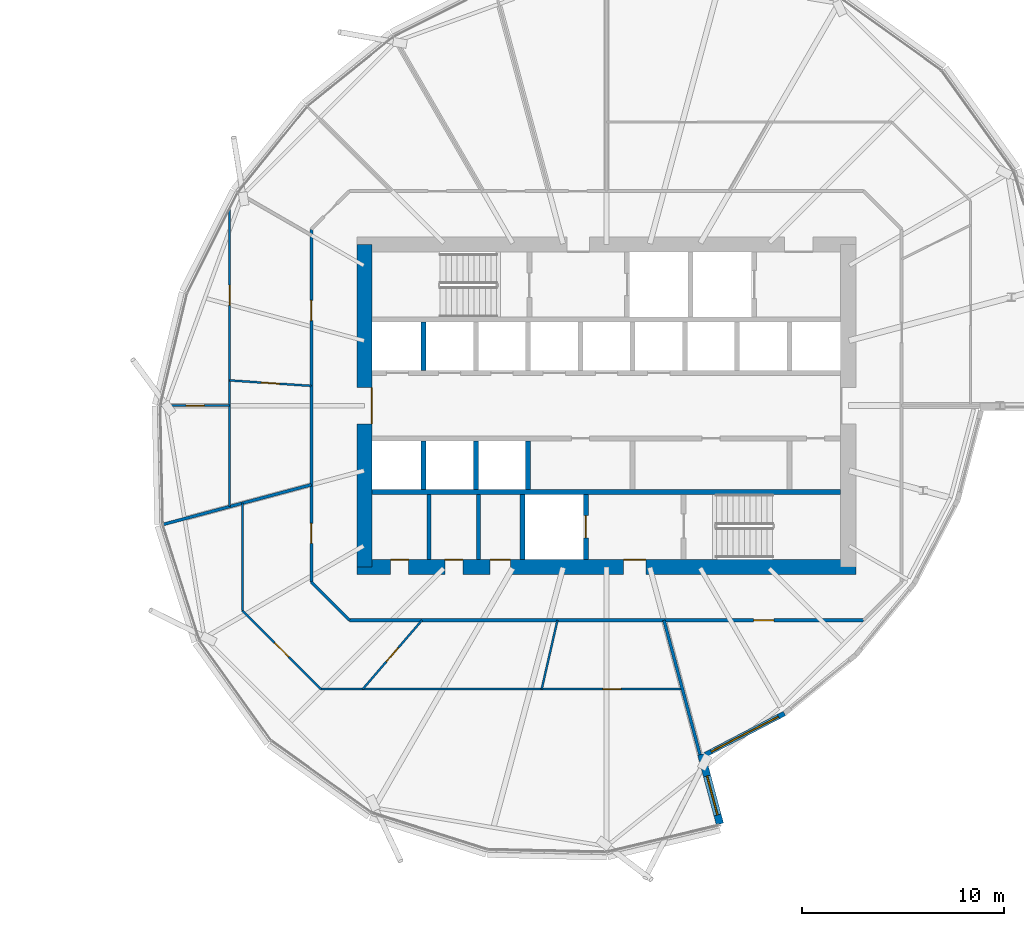
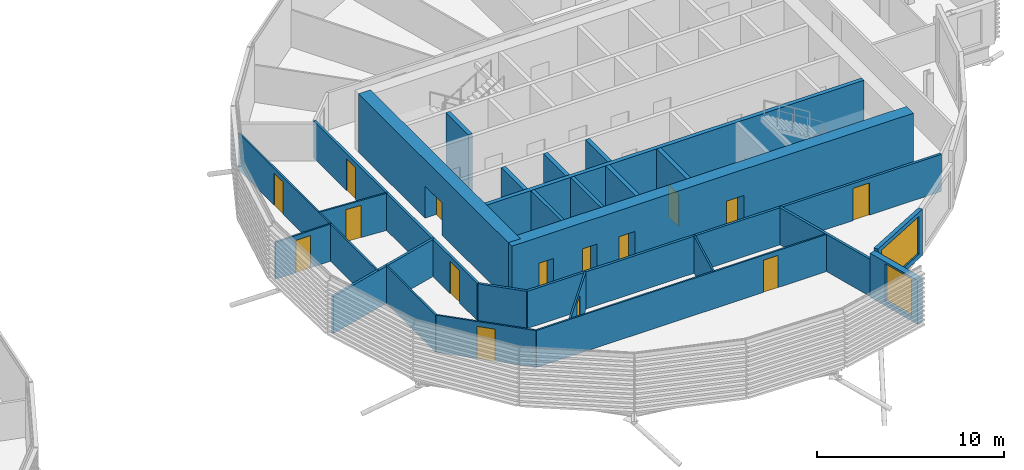
# One storey, part 23 of 39: 27 walls, 15 doors, 2 windows, 17 openings.
"""IFC4 building model written with IfcOpenShell, lengths in metres."""

from ifc_helpers import new_model, si_unit, direction, frame, frame_2d, origin, place, context, subcontext, project, spatial, rectangle, extrude, material, layer, layer_set, type_object, element, fill, save


model = new_model("IFC4")

# Units and contexts
model_context = context("Model", 3, precision=1e-05, world=origin(), true_north=direction((0.0, 1.0)))
body_context = subcontext(model_context, "Body", "Model", "MODEL_VIEW")
ifc_project = project(units=[si_unit("LENGTHUNIT", "METRE"), si_unit("AREAUNIT", "SQUARE_METRE"), si_unit("VOLUMEUNIT", "CUBIC_METRE"), si_unit("PLANEANGLEUNIT", "RADIAN"), si_unit("MASSUNIT", "GRAM", prefix="KILO")], contexts=[model_context])

# Site, building, storey
site_placement = place(None, origin())
site = spatial("IfcSite", under=ifc_project, at=site_placement, CompositionType="ELEMENT")
building_placement = place(site_placement, origin())
building = spatial("IfcBuilding", under=site, at=building_placement, Name="Rimbun Link Towers", CompositionType="ELEMENT")
storey_placement = place(building_placement, frame((0.0, 0.0, 100.60009765625)))
storey = spatial("IfcBuildingStorey", under=building, at=storey_placement, Name="L24", CompositionType="ELEMENT", Elevation=100.60009765625)

# Wall, opening, window
ifc_material_1 = material(Name="Dark enamelled glass spandrel on insulated aluminium backpan", Category="aluminium")
ifc_layer_1 = layer(ifc_material_1, 0.25)
ifc_layer_set_1 = layer_set([ifc_layer_1], Name="CS dark enamelled spandrel wall 250")
wall_type_1 = type_object("IfcWallType", Name="CS dark enamelled spandrel wall 250", PredefinedType="STANDARD", material=ifc_layer_set_1)
wall_1_placement = place(storey_placement, frame((40.57958984375, -15.278564453125, 0.0), z_axis=(0.0, 0.0, 1.0), x_axis=(-0.886942309025, -0.461880223069, 0.0)))
wall_1 = element("IfcWall", 1, at=wall_1_placement, inside=storey, type_object=wall_type_1, Name="Crease spandrel wall", PredefinedType="STANDARD", context=body_context, shape_type="SweptSolid", body=[
    extrude(rectangle(XDim=4.429443359375, YDim=0.25, at=frame_2d((2.21484375, 0.0))), origin(), (0.0, 0.0, 1.0), 3.02734375),
])
opening_1_placement = place(wall_1_placement, frame((0.33984375, 0.0, 0.300048828125)))
opening_1 = element("IfcOpeningElement", 2, at=opening_1_placement, cuts=wall_1, Name="Opening WR38H245", PredefinedType="OPENING", context=body_context, shape_type="SweptSolid", body=[
    extrude(rectangle(XDim=3.75, YDim=2.449951171875, at=frame_2d((1.875, 1.22509765625))), frame((0.0, 0.135009765625, 0.0), z_axis=(0.0, -1.0, 0.0), x_axis=(1.0, 0.0, 0.0)), (0.0, 0.0, 1.0), 0.27001953125),
])
ifc_material_2 = material(Name="Aluminium framed fixed window, dark tinted low-e glass", Category="aluminium")
window_type_1 = type_object("IfcWindowType", Name="WR ribbon window 3750X2450", PartitioningType="SINGLE_PANEL", PredefinedType="WINDOW", material=ifc_material_2)
window_1_placement = place(opening_1_placement, origin())
window_1 = element("IfcWindow", 3, at=window_1_placement, inside=storey, type_object=window_type_1, Name="Crease ribbon window", OverallHeight=2.449951171875, OverallWidth=3.75, PartitioningType="SINGLE_PANEL", PredefinedType="WINDOW", context=body_context, shape_type="SweptSolid", body=[
    extrude(rectangle(XDim=3.75, YDim=2.449951171875, at=frame_2d((1.875, 1.22509765625))), frame((0.0, 0.030029296875, 0.0), z_axis=(0.0, -1.0, 0.0), x_axis=(1.0, 0.0, 0.0)), (0.0, 0.0, 1.0), 0.06005859375),
])
fill(opening_1, window_1)

ifc_material_3 = material(Name="Dark enamelled glass spandrel on insulated aluminium backpan", Category="aluminium")
ifc_layer_2 = layer(ifc_material_3, 0.3701171875)
ifc_layer_set_2 = layer_set([ifc_layer_2], Name="CS dark enamelled spandrel wall 370")
wall_type_2 = type_object("IfcWallType", Name="CS dark enamelled spandrel wall 370", PredefinedType="STANDARD", material=ifc_layer_set_2)
wall_2_placement = place(storey_placement, frame((36.453369140625, -17.30224609375, 0.0), z_axis=(0.0, 0.0, 1.0), x_axis=(0.258867887085, -0.965912737796, 0.0)))
wall_2 = element("IfcWall", 4, at=wall_2_placement, inside=storey, type_object=wall_type_2, Name="Crease spandrel wall", PredefinedType="STANDARD", context=body_context, shape_type="SweptSolid", body=[
    extrude(rectangle(XDim=3.580078125, YDim=0.3701171875, at=frame_2d((1.7900390625, 0.0))), origin(), (0.0, 0.0, 1.0), 2.86767578125),
])
opening_2_placement = place(wall_2_placement, frame((1.114990234375, 0.0, 0.300048828125)))
opening_2 = element("IfcOpeningElement", 5, at=opening_2_placement, cuts=wall_2, Name="Opening WR20H245", PredefinedType="OPENING", context=body_context, shape_type="SweptSolid", body=[
    extrude(rectangle(XDim=2.0, YDim=2.449951171875, at=frame_2d((1.0, 1.22509765625))), frame((0.0, 0.195068359375, 0.0), z_axis=(0.0, -1.0, 0.0), x_axis=(1.0, 0.0, 0.0)), (0.0, 0.0, 1.0), 0.39013671875),
])
ifc_material_4 = material(Name="Aluminium framed fixed window, dark tinted low-e glass", Category="aluminium")
window_type_2 = type_object("IfcWindowType", Name="WR ribbon window 2000X2450", PartitioningType="SINGLE_PANEL", PredefinedType="WINDOW", material=ifc_material_4)
window_2_placement = place(opening_2_placement, origin())
window_2 = element("IfcWindow", 6, at=window_2_placement, inside=storey, type_object=window_type_2, Name="Crease ribbon window", OverallHeight=2.449951171875, OverallWidth=2.0, PartitioningType="SINGLE_PANEL", PredefinedType="WINDOW", context=body_context, shape_type="SweptSolid", body=[
    extrude(rectangle(XDim=2.0, YDim=2.449951171875, at=frame_2d((1.0, 1.22509765625))), frame((0.0, 0.030029296875, 0.0), z_axis=(0.0, -1.0, 0.0), x_axis=(1.0, 0.0, 0.0)), (0.0, 0.0, 1.0), 0.06005859375),
])
fill(opening_2, window_2)

# Walls
ifc_material_5 = material(Name="Masonry blockwork", Category="masonry")
ifc_layer_3 = layer(ifc_material_5, 0.199951171875)
ifc_layer_set_3 = layer_set([ifc_layer_3], Name="Core partition 200")
wall_type_3 = type_object("IfcWallType", Name="Core partition 200", PredefinedType="PARTITIONING", material=ifc_layer_set_3)
for number, where, z_axis, x_axis, name in (
    (7, (22.949951171875, -4.39990234375, 0.0), (0.0, 0.0, 1.0), (0.0, -1.0, 0.0), "L24 T2 core wall C1"),
    (8, (25.39990234375, -4.39990234375, 0.0), (0.0, 0.0, 1.0), (0.0, -1.0, 0.0), "L24 T2 core wall C2"),
):
    element("IfcWall", number, at=place(storey_placement, frame(where, z_axis=z_axis, x_axis=x_axis)), inside=storey, type_object=wall_type_3, Name=name, PredefinedType="PARTITIONING", context=body_context, shape_type="SweptSolid", body=[
        extrude(rectangle(XDim=3.22509765625, YDim=0.199951171875, at=frame_2d((1.612548828125, 0.0))), origin(), (0.0, 0.0, 1.0), 3.7998046875),
    ])

# Wall, openings, doors
ifc_material_6 = material(Name="Concrete C60/75", Category="concrete")
ifc_layer_4 = layer(ifc_material_6, 0.75)
ifc_layer_set_4 = layer_set([ifc_layer_4], Name="Core shear wall 750")
wall_type_4 = type_object("IfcWallType", Name="Core shear wall 750", PredefinedType="SHEAR", material=ifc_layer_set_4)
wall_3_placement = place(storey_placement, frame((19.375, -8.0, 0.0), z_axis=(0.0, 0.0, 1.0), x_axis=(1.0, 0.0, 0.0)))
wall_3 = element("IfcWall", 9, at=wall_3_placement, inside=storey, type_object=wall_type_4, Name="L24 T2 core wall S", PredefinedType="SHEAR", context=body_context, shape_type="SweptSolid", body=[
    extrude(rectangle(XDim=24.75, YDim=0.75, at=frame_2d((12.375, 0.0))), origin(), (0.0, 0.0, 1.0), 3.7998046875),
])
opening_3_placement = place(wall_3_placement, frame((13.22509765625, 0.0, 0.0)))
opening_3 = element("IfcOpeningElement", 10, at=opening_3_placement, cuts=wall_3, Name="Opening C2DCF01S", PredefinedType="OPENING", context=body_context, shape_type="SweptSolid", body=[
    extrude(rectangle(XDim=1.10009765625, YDim=2.10009765625, at=frame_2d((0.550048828125, 1.050048828125))), frame((0.0, 0.385009765625, 0.0), z_axis=(0.0, -1.0, 0.0), x_axis=(1.0, 0.0, 0.0)), (0.0, 0.0, 1.0), 0.77001953125),
])
opening_4_placement = place(wall_3_placement, frame((1.66259765625, 0.0, 0.0)))
opening_4 = element("IfcOpeningElement", 11, at=opening_4_placement, cuts=wall_3, Name="Opening C2DWC02S", PredefinedType="OPENING", context=body_context, shape_type="SweptSolid", body=[
    extrude(rectangle(XDim=0.89990234375, YDim=2.10009765625, at=frame_2d((0.449951171875, 1.050048828125))), frame((0.0, 0.385009765625, 0.0), z_axis=(0.0, -1.0, 0.0), x_axis=(1.0, 0.0, 0.0)), (0.0, 0.0, 1.0), 0.77001953125),
])
opening_5_placement = place(wall_3_placement, frame((4.35009765625, 0.0, 0.0)))
opening_5 = element("IfcOpeningElement", 12, at=opening_5_placement, cuts=wall_3, Name="Opening C2DWC03S", PredefinedType="OPENING", context=body_context, shape_type="SweptSolid", body=[
    extrude(rectangle(XDim=0.89990234375, YDim=2.10009765625, at=frame_2d((0.449951171875, 1.050048828125))), frame((0.0, 0.385009765625, 0.0), z_axis=(0.0, -1.0, 0.0), x_axis=(1.0, 0.0, 0.0)), (0.0, 0.0, 1.0), 0.77001953125),
])
opening_6_placement = place(wall_3_placement, frame((6.60009765625, 0.0, 0.0)))
opening_6 = element("IfcOpeningElement", 13, at=opening_6_placement, cuts=wall_3, Name="Opening C2DAW04S", PredefinedType="OPENING", context=body_context, shape_type="SweptSolid", body=[
    extrude(rectangle(XDim=1.0, YDim=2.10009765625, at=frame_2d((0.5, 1.050048828125))), frame((0.0, 0.385009765625, 0.0), z_axis=(0.0, -1.0, 0.0), x_axis=(1.0, 0.0, 0.0)), (0.0, 0.0, 1.0), 0.77001953125),
])
ifc_material_7 = material(Name="Timber", Category="wood")
door_type_1 = type_object("IfcDoorType", Name="Accessible WC door", OperationType="SINGLE_SWING_LEFT", PredefinedType="DOOR", material=ifc_material_7)
door_1_placement = place(opening_6_placement, origin())
door_1 = element("IfcDoor", 14, at=door_1_placement, inside=storey, type_object=door_type_1, Name="L24 T2 accessible wc door", OperationType="SINGLE_SWING_RIGHT", OverallHeight=2.10009765625, OverallWidth=1.0, PredefinedType="DOOR", context=body_context, shape_type="SweptSolid", body=[
    extrude(rectangle(XDim=1.0, YDim=2.10009765625, at=frame_2d((0.5, 1.050048828125))), frame((0.0, 0.375, 0.0), z_axis=(0.0, -1.0, 0.0), x_axis=(1.0, 0.0, 0.0)), (0.0, 0.0, 1.0), 0.050048828125),
])
fill(opening_6, door_1)
ifc_material_8 = material(Name="Steel fire door set", Category="steel")
door_type_2 = type_object("IfcDoorType", Name="Core fire door single", OperationType="SINGLE_SWING_LEFT", PredefinedType="DOOR", material=ifc_material_8)
door_2_placement = place(opening_3_placement, origin())
door_2 = element("IfcDoor", 15, at=door_2_placement, inside=storey, type_object=door_type_2, Name="L24 T2 firefighting lobby s door", OperationType="SINGLE_SWING_RIGHT", OverallHeight=2.10009765625, OverallWidth=1.10009765625, PredefinedType="DOOR", context=body_context, shape_type="SweptSolid", body=[
    extrude(rectangle(XDim=1.10009765625, YDim=2.10009765625, at=frame_2d((0.550048828125, 1.050048828125))), frame((0.0, 0.375, 0.0), z_axis=(0.0, -1.0, 0.0), x_axis=(1.0, 0.0, 0.0)), (0.0, 0.0, 1.0), 0.050048828125),
])
fill(opening_3, door_2)
ifc_material_9 = material(Name="Timber", Category="wood")
door_type_3 = type_object("IfcDoorType", Name="WC door", OperationType="SINGLE_SWING_LEFT", PredefinedType="DOOR", material=ifc_material_9)
door_3_placement = place(opening_4_placement, origin())
door_3 = element("IfcDoor", 16, at=door_3_placement, inside=storey, type_object=door_type_3, Name="L24 T2 male wc door", OperationType="SINGLE_SWING_RIGHT", OverallHeight=2.10009765625, OverallWidth=0.89990234375, PredefinedType="DOOR", context=body_context, shape_type="SweptSolid", body=[
    extrude(rectangle(XDim=0.89990234375, YDim=2.10009765625, at=frame_2d((0.449951171875, 1.050048828125))), frame((0.0, 0.375, 0.0), z_axis=(0.0, -1.0, 0.0), x_axis=(1.0, 0.0, 0.0)), (0.0, 0.0, 1.0), 0.050048828125),
])
fill(opening_4, door_3)
door_4_placement = place(opening_5_placement, origin())
door_4 = element("IfcDoor", 17, at=door_4_placement, inside=storey, type_object=door_type_3, Name="L24 T2 female wc door", OperationType="SINGLE_SWING_LEFT", OverallHeight=2.10009765625, OverallWidth=0.89990234375, PredefinedType="DOOR", context=body_context, shape_type="SweptSolid", body=[
    extrude(rectangle(XDim=0.89990234375, YDim=2.10009765625, at=frame_2d((0.449951171875, 1.050048828125))), frame((0.0, 0.375, 0.0), z_axis=(0.0, -1.0, 0.0), x_axis=(1.0, 0.0, 0.0)), (0.0, 0.0, 1.0), 0.050048828125),
])
fill(opening_5, door_4)

# Wall, opening, door
wall_4_placement = place(storey_placement, frame((19.75, -8.0, 0.0), z_axis=(0.0, 0.0, 1.0), x_axis=(0.0, 1.0, 0.0)))
wall_4 = element("IfcWall", 18, at=wall_4_placement, inside=storey, type_object=wall_type_4, Name="L24 T2 core wall W", PredefinedType="SHEAR", context=body_context, shape_type="SweptSolid", body=[
    extrude(rectangle(XDim=16.0, YDim=0.75, at=frame_2d((8.0, 0.0))), origin(), (0.0, 0.0, 1.0), 3.7998046875),
])
opening_7_placement = place(wall_4_placement, frame((7.10009765625, 0.0, 0.0)))
opening_7 = element("IfcOpeningElement", 19, at=opening_7_placement, cuts=wall_4, Name="Opening C2DCL01W", PredefinedType="OPENING", context=body_context, shape_type="SweptSolid", body=[
    extrude(rectangle(XDim=1.800048828125, YDim=2.10009765625, at=frame_2d((0.89990234375, 1.050048828125))), frame((0.0, 0.385009765625, 0.0), z_axis=(0.0, -1.0, 0.0), x_axis=(1.0, 0.0, 0.0)), (0.0, 0.0, 1.0), 0.77001953125),
])
ifc_material_10 = material(Name="Steel fire door set", Category="steel")
door_type_4 = type_object("IfcDoorType", Name="Core lobby door double", OperationType="DOUBLE_DOOR_SINGLE_SWING", PredefinedType="DOOR", material=ifc_material_10)
door_5_placement = place(opening_7_placement, origin())
door_5 = element("IfcDoor", 20, at=door_5_placement, inside=storey, type_object=door_type_4, Name="L24 T2 lift lobby door", OperationType="DOUBLE_DOOR_SINGLE_SWING", OverallHeight=2.10009765625, OverallWidth=1.800048828125, PredefinedType="DOOR", context=body_context, shape_type="SweptSolid", body=[
    extrude(rectangle(XDim=1.800048828125, YDim=2.10009765625, at=frame_2d((0.89990234375, 1.050048828125))), frame((0.0, -0.3251953125, 0.0), z_axis=(0.0, -1.0, 0.0), x_axis=(1.0, 0.0, 0.0)), (0.0, 0.0, 1.0), 0.050048828125),
])
fill(opening_7, door_5)

ifc_material_11 = material(Name="Plasterboard on steel stud, mineral wool", Category="steel")
ifc_layer_5 = layer(ifc_material_11, 0.14990234375)
ifc_layer_set_5 = layer_set([ifc_layer_5], Name="Corridor wall EI 30 150 mm")
wall_type_5 = type_object("IfcWallType", Name="Corridor wall EI 30 150 mm", PredefinedType="PARTITIONING", material=ifc_layer_set_5)
wall_5_placement = place(storey_placement, frame((44.501708984375, -10.64990234375, 0.0), z_axis=(0.0, 0.0, 1.0), x_axis=(-1.0, 0.0, 0.0)))
wall_5 = element("IfcWall", 21, at=wall_5_placement, inside=storey, type_object=wall_type_5, Name="Corridor wall EI 30 150 mm", PredefinedType="PARTITIONING", context=body_context, shape_type="SweptSolid", body=[
    extrude(rectangle(XDim=25.50341796875, YDim=0.14990234375, at=frame_2d((12.751708984375, 0.0))), origin(), (0.0, 0.0, 1.0), 2.419921875),
])
opening_8_placement = place(wall_5_placement, frame((4.448974609375, 0.0, 0.0)))
opening_8 = element("IfcOpeningElement", 22, at=opening_8_placement, cuts=wall_5, Name="Opening D01", PredefinedType="OPENING", context=body_context, shape_type="SweptSolid", body=[
    extrude(rectangle(XDim=1.0, YDim=2.10009765625, at=frame_2d((0.5, 1.050048828125))), frame((0.0, 0.0849609375, 0.0), z_axis=(0.0, -1.0, 0.0), x_axis=(1.0, 0.0, 0.0)), (0.0, 0.0, 1.0), 0.169921875),
])
ifc_material_12 = material(Name="Fire-resisting timber door leaf", Category="wood")
door_type_5 = type_object("IfcDoorType", Name="Fire door FD30S 1000", OperationType="NOTDEFINED", PredefinedType="DOOR", material=ifc_material_12)
door_6_placement = place(opening_8_placement, origin())
door_6 = element("IfcDoor", 23, at=door_6_placement, inside=storey, type_object=door_type_5, Name="Fire door FD30S 1000 to Terrace office", OperationType="SINGLE_SWING_RIGHT", OverallHeight=2.10009765625, OverallWidth=1.0, PredefinedType="DOOR", context=body_context, shape_type="SweptSolid", body=[
    extrude(rectangle(XDim=1.0, YDim=2.10009765625, at=frame_2d((0.5, 1.050048828125))), frame((0.0, 0.02490234375, 0.0), z_axis=(0.0, -1.0, 0.0), x_axis=(1.0, 0.0, 0.0)), (0.0, 0.0, 1.0), 0.050048828125),
])
fill(opening_8, door_6)

# Wall
wall_6_placement = place(storey_placement, frame((17.10009765625, -8.751708984375, 0.0), z_axis=(0.0, 0.0, 1.0), x_axis=(0.707106781187, -0.707106781187, 0.0)))
element("IfcWall", 24, at=wall_6_placement, inside=storey, type_object=wall_type_5, Name="Corridor wall EI 30 150 mm", PredefinedType="PARTITIONING", context=body_context, shape_type="SweptSolid", body=[
    extrude(rectangle(XDim=2.6845703125, YDim=0.14990234375, at=frame_2d((1.34228515625, 0.0))), origin(), (0.0, 0.0, 1.0), 2.419921875),
])

# Wall, openings, doors
wall_7_placement = place(storey_placement, frame((17.10009765625, -8.751708984375, 0.0), z_axis=(0.0, 0.0, 1.0), x_axis=(0.0, 1.0, 0.0)))
wall_7 = element("IfcWall", 25, at=wall_7_placement, inside=storey, type_object=wall_type_5, Name="Corridor wall EI 30 150 mm", PredefinedType="PARTITIONING", context=body_context, shape_type="SweptSolid", body=[
    extrude(rectangle(XDim=17.50341796875, YDim=0.14990234375, at=frame_2d((8.751708984375, 0.0))), origin(), (0.0, 0.0, 1.0), 2.419921875),
])
opening_9_placement = place(wall_7_placement, frame((12.971435546875, 0.0, 0.0)))
opening_9 = element("IfcOpeningElement", 26, at=opening_9_placement, cuts=wall_7, Name="Opening D01", PredefinedType="OPENING", context=body_context, shape_type="SweptSolid", body=[
    extrude(rectangle(XDim=1.0, YDim=2.10009765625, at=frame_2d((0.5, 1.050048828125))), frame((0.0, 0.0849609375, 0.0), z_axis=(0.0, -1.0, 0.0), x_axis=(1.0, 0.0, 0.0)), (0.0, 0.0, 1.0), 0.169921875),
])
opening_10_placement = place(wall_7_placement, frame((1.9130859375, 0.0, 0.0)))
opening_10 = element("IfcOpeningElement", 27, at=opening_10_placement, cuts=wall_7, Name="Opening D01", PredefinedType="OPENING", context=body_context, shape_type="SweptSolid", body=[
    extrude(rectangle(XDim=1.0, YDim=2.10009765625, at=frame_2d((0.5, 1.050048828125))), frame((0.0, 0.0849609375, 0.0), z_axis=(0.0, -1.0, 0.0), x_axis=(1.0, 0.0, 0.0)), (0.0, 0.0, 1.0), 0.169921875),
])
door_7_placement = place(opening_9_placement, origin())
door_7 = element("IfcDoor", 28, at=door_7_placement, inside=storey, type_object=door_type_5, Name="Fire door FD30S 1000 to Reception", OperationType="SINGLE_SWING_RIGHT", OverallHeight=2.10009765625, OverallWidth=1.0, PredefinedType="DOOR", context=body_context, shape_type="SweptSolid", body=[
    extrude(rectangle(XDim=1.0, YDim=2.10009765625, at=frame_2d((0.5, 1.050048828125))), frame((0.0, 0.02490234375, 0.0), z_axis=(0.0, -1.0, 0.0), x_axis=(1.0, 0.0, 0.0)), (0.0, 0.0, 1.0), 0.050048828125),
])
fill(opening_9, door_7)
door_8_placement = place(opening_10_placement, origin())
door_8 = element("IfcDoor", 29, at=door_8_placement, inside=storey, type_object=door_type_5, Name="Fire door FD30S 1000 to Reception", OperationType="SINGLE_SWING_LEFT", OverallHeight=2.10009765625, OverallWidth=1.0, PredefinedType="DOOR", context=body_context, shape_type="SweptSolid", body=[
    extrude(rectangle(XDim=1.0, YDim=2.10009765625, at=frame_2d((0.5, 1.050048828125))), frame((0.0, 0.02490234375, 0.0), z_axis=(0.0, -1.0, 0.0), x_axis=(1.0, 0.0, 0.0)), (0.0, 0.0, 1.0), 0.050048828125),
])
fill(opening_10, door_8)

# Wall, opening, door
ifc_material_13 = material(Name="Plasterboard on steel stud", Category="steel")
ifc_layer_6 = layer(ifc_material_13, 0.10009765625)
ifc_layer_set_6 = layer_set([ifc_layer_6], Name="Plasterboard partition 100 mm")
wall_type_6 = type_object("IfcWallType", Name="Plasterboard partition 100 mm", PredefinedType="PARTITIONING", material=ifc_layer_set_6)
wall_8_placement = place(storey_placement, frame((17.10009765625, 0.981201171875, 0.0), z_axis=(0.0, 0.0, 1.0), x_axis=(-0.997764885584, 0.066822399655, 0.0)))
wall_8 = element("IfcWall", 30, at=wall_8_placement, inside=storey, type_object=wall_type_6, Name="Plasterboard partition 100 mm", PredefinedType="PARTITIONING", context=body_context, shape_type="SweptSolid", body=[
    extrude(rectangle(XDim=4.05908203125, YDim=0.10009765625, at=frame_2d((2.029541015625, 0.0))), origin(), (0.0, 0.0, 1.0), 2.419921875),
])
opening_11_placement = place(wall_8_placement, frame((1.57958984375, 0.0, 0.0)))
opening_11 = element("IfcOpeningElement", 31, at=opening_11_placement, cuts=wall_8, Name="Opening D04", PredefinedType="OPENING", context=body_context, shape_type="SweptSolid", body=[
    extrude(rectangle(XDim=0.89990234375, YDim=2.10009765625, at=frame_2d((0.449951171875, 1.050048828125))), frame((0.0, 0.06005859375, 0.0), z_axis=(0.0, -1.0, 0.0), x_axis=(1.0, 0.0, 0.0)), (0.0, 0.0, 1.0), 0.1201171875),
])
ifc_material_14 = material(Name="Timber door leaf", Category="wood")
door_type_6 = type_object("IfcDoorType", Name="Flush door 900", OperationType="NOTDEFINED", PredefinedType="DOOR", material=ifc_material_14)
door_9_placement = place(opening_11_placement, origin())
door_9 = element("IfcDoor", 32, at=door_9_placement, inside=storey, type_object=door_type_6, Name="Flush door 900 to Pantry", OperationType="SINGLE_SWING_LEFT", OverallHeight=2.10009765625, OverallWidth=0.89990234375, PredefinedType="DOOR", context=body_context, shape_type="SweptSolid", body=[
    extrude(rectangle(XDim=0.89990234375, YDim=2.10009765625, at=frame_2d((0.449951171875, 1.050048828125))), frame((0.0, 0.02490234375, 0.0), z_axis=(0.0, -1.0, 0.0), x_axis=(1.0, 0.0, 0.0)), (0.0, 0.0, 1.0), 0.050048828125),
])
fill(opening_11, door_9)

wall_9_placement = place(storey_placement, frame((13.050048828125, 0.0, 0.0), z_axis=(0.0, 0.0, 1.0), x_axis=(0.0, 1.0, 0.0)))
wall_9 = element("IfcWall", 33, at=wall_9_placement, inside=storey, type_object=wall_type_6, Name="Plasterboard partition 100 mm", PredefinedType="PARTITIONING", context=body_context, shape_type="SweptSolid", body=[
    extrude(rectangle(XDim=9.74658203125, YDim=0.10009765625, at=frame_2d((4.873291015625, 0.0))), origin(), (0.0, 0.0, 1.0), 2.419921875),
])
opening_12_placement = place(wall_9_placement, frame((4.984619140625, 0.0, 0.0)))
opening_12 = element("IfcOpeningElement", 34, at=opening_12_placement, cuts=wall_9, Name="Opening D03", PredefinedType="OPENING", context=body_context, shape_type="SweptSolid", body=[
    extrude(rectangle(XDim=1.0, YDim=2.10009765625, at=frame_2d((0.5, 1.050048828125))), frame((0.0, 0.06005859375, 0.0), z_axis=(0.0, -1.0, 0.0), x_axis=(1.0, 0.0, 0.0)), (0.0, 0.0, 1.0), 0.1201171875),
])
ifc_material_15 = material(Name="Timber door leaf", Category="wood")
door_type_7 = type_object("IfcDoorType", Name="Flush door 1000", OperationType="NOTDEFINED", PredefinedType="DOOR", material=ifc_material_15)
door_10_placement = place(opening_12_placement, origin())
door_10 = element("IfcDoor", 35, at=door_10_placement, inside=storey, type_object=door_type_7, Name="Flush door 1000 to Boardroom", OperationType="SINGLE_SWING_RIGHT", OverallHeight=2.10009765625, OverallWidth=1.0, PredefinedType="DOOR", context=body_context, shape_type="SweptSolid", body=[
    extrude(rectangle(XDim=1.0, YDim=2.10009765625, at=frame_2d((0.5, 1.050048828125))), frame((0.0, 0.02490234375, 0.0), z_axis=(0.0, -1.0, 0.0), x_axis=(1.0, 0.0, 0.0)), (0.0, 0.0, 1.0), 0.050048828125),
])
fill(opening_12, door_10)

# Wall
wall_10_placement = place(storey_placement, frame((13.050048828125, 0.0, 0.0), z_axis=(0.0, 0.0, 1.0), x_axis=(0.0, -1.0, 0.0)))
element("IfcWall", 36, at=wall_10_placement, inside=storey, type_object=wall_type_6, Name="Plasterboard partition 100 mm", PredefinedType="PARTITIONING", context=body_context, shape_type="SweptSolid", body=[
    extrude(rectangle(XDim=5.0107421875, YDim=0.10009765625, at=frame_2d((2.50537109375, 0.0))), origin(), (0.0, 0.0, 1.0), 2.419921875),
])

# Wall, opening, door
wall_11_placement = place(storey_placement, frame((13.050048828125, 0.0, 0.0), z_axis=(0.0, 0.0, 1.0), x_axis=(-1.0, 0.0, 0.0)))
wall_11 = element("IfcWall", 37, at=wall_11_placement, inside=storey, type_object=wall_type_6, Name="Plasterboard partition 100 mm", PredefinedType="PARTITIONING", context=body_context, shape_type="SweptSolid", body=[
    extrude(rectangle(XDim=3.428955078125, YDim=0.10009765625, at=frame_2d((1.71435546875, 0.0))), origin(), (0.0, 0.0, 1.0), 2.419921875),
])
opening_13_placement = place(wall_11_placement, frame((1.264404296875, 0.0, 0.0)))
opening_13 = element("IfcOpeningElement", 38, at=opening_13_placement, cuts=wall_11, Name="Opening D04", PredefinedType="OPENING", context=body_context, shape_type="SweptSolid", body=[
    extrude(rectangle(XDim=0.89990234375, YDim=2.10009765625, at=frame_2d((0.449951171875, 1.050048828125))), frame((0.0, 0.06005859375, 0.0), z_axis=(0.0, -1.0, 0.0), x_axis=(1.0, 0.0, 0.0)), (0.0, 0.0, 1.0), 0.1201171875),
])
door_11_placement = place(opening_13_placement, origin())
door_11 = element("IfcDoor", 39, at=door_11_placement, inside=storey, type_object=door_type_6, Name="Flush door 900 to Meeting room", OperationType="SINGLE_SWING_LEFT", OverallHeight=2.10009765625, OverallWidth=0.89990234375, PredefinedType="DOOR", context=body_context, shape_type="SweptSolid", body=[
    extrude(rectangle(XDim=0.89990234375, YDim=2.10009765625, at=frame_2d((0.449951171875, 1.050048828125))), frame((0.0, 0.02490234375, 0.0), z_axis=(0.0, -1.0, 0.0), x_axis=(1.0, 0.0, 0.0)), (0.0, 0.0, 1.0), 0.050048828125),
])
fill(opening_13, door_11)

wall_12_placement = place(storey_placement, frame((22.593017578125, -10.64990234375, 0.0), z_axis=(0.0, 0.0, 1.0), x_axis=(-0.651922889365, -0.758285267114, 0.0)))
wall_12 = element("IfcWall", 40, at=wall_12_placement, inside=storey, type_object=wall_type_6, Name="Plasterboard partition 100 mm", PredefinedType="PARTITIONING", context=body_context, shape_type="SweptSolid", body=[
    extrude(rectangle(XDim=4.510498046875, YDim=0.10009765625, at=frame_2d((2.25537109375, 0.0))), origin(), (0.0, 0.0, 1.0), 2.419921875),
])
opening_14_placement = place(wall_12_placement, frame((1.80517578125, 0.0, 0.0)))
opening_14 = element("IfcOpeningElement", 41, at=opening_14_placement, cuts=wall_12, Name="Opening D04", PredefinedType="OPENING", context=body_context, shape_type="SweptSolid", body=[
    extrude(rectangle(XDim=0.89990234375, YDim=2.10009765625, at=frame_2d((0.449951171875, 1.050048828125))), frame((0.0, 0.06005859375, 0.0), z_axis=(0.0, -1.0, 0.0), x_axis=(1.0, 0.0, 0.0)), (0.0, 0.0, 1.0), 0.1201171875),
])
door_12_placement = place(opening_14_placement, origin())
door_12 = element("IfcDoor", 42, at=door_12_placement, inside=storey, type_object=door_type_6, Name="Flush door 900 to Meeting room", OperationType="SINGLE_SWING_RIGHT", OverallHeight=2.10009765625, OverallWidth=0.89990234375, PredefinedType="DOOR", context=body_context, shape_type="SweptSolid", body=[
    extrude(rectangle(XDim=0.89990234375, YDim=2.10009765625, at=frame_2d((0.449951171875, 1.050048828125))), frame((0.0, 0.02490234375, 0.0), z_axis=(0.0, -1.0, 0.0), x_axis=(1.0, 0.0, 0.0)), (0.0, 0.0, 1.0), 0.050048828125),
])
fill(opening_14, door_12)

wall_13_placement = place(storey_placement, frame((17.581787109375, -14.070068359375, 0.0), z_axis=(0.0, 0.0, 1.0), x_axis=(-0.707106781187, 0.707106781187, 0.0)))
wall_13 = element("IfcWall", 43, at=wall_13_placement, inside=storey, type_object=wall_type_6, Name="Plasterboard partition 100 mm", PredefinedType="PARTITIONING", context=body_context, shape_type="SweptSolid", body=[
    extrude(rectangle(XDim=5.51806640625, YDim=0.10009765625, at=frame_2d((2.759033203125, 0.0))), origin(), (0.0, 0.0, 1.0), 2.419921875),
])
opening_15_placement = place(wall_13_placement, frame((2.2587890625, 0.0, 0.0)))
opening_15 = element("IfcOpeningElement", 44, at=opening_15_placement, cuts=wall_13, Name="Opening D03", PredefinedType="OPENING", context=body_context, shape_type="SweptSolid", body=[
    extrude(rectangle(XDim=1.0, YDim=2.10009765625, at=frame_2d((0.5, 1.050048828125))), frame((0.0, 0.06005859375, 0.0), z_axis=(0.0, -1.0, 0.0), x_axis=(1.0, 0.0, 0.0)), (0.0, 0.0, 1.0), 0.1201171875),
])
door_13_placement = place(opening_15_placement, origin())
door_13 = element("IfcDoor", 45, at=door_13_placement, inside=storey, type_object=door_type_7, Name="Flush door 1000 to Open office", OperationType="SINGLE_SWING_LEFT", OverallHeight=2.10009765625, OverallWidth=1.0, PredefinedType="DOOR", context=body_context, shape_type="SweptSolid", body=[
    extrude(rectangle(XDim=1.0, YDim=2.10009765625, at=frame_2d((0.5, 1.050048828125))), frame((0.0, 0.02490234375, 0.0), z_axis=(0.0, -1.0, 0.0), x_axis=(1.0, 0.0, 0.0)), (0.0, 0.0, 1.0), 0.050048828125),
])
fill(opening_15, door_13)

# Wall
wall_14_placement = place(storey_placement, frame((13.679931640625, -4.841796875, 0.0), z_axis=(0.0, 0.0, 1.0), x_axis=(0.0, -1.0, 0.0)))
element("IfcWall", 46, at=wall_14_placement, inside=storey, type_object=wall_type_6, Name="Plasterboard partition 100 mm", PredefinedType="PARTITIONING", context=body_context, shape_type="SweptSolid", body=[
    extrude(rectangle(XDim=5.326416015625, YDim=0.10009765625, at=frame_2d((2.6630859375, 0.0))), origin(), (0.0, 0.0, 1.0), 2.419921875),
])

# Wall, opening, door
wall_15_placement = place(storey_placement, frame((17.581787109375, -14.070068359375, 0.0), z_axis=(0.0, 0.0, 1.0), x_axis=(1.0, 0.0, 0.0)))
wall_15 = element("IfcWall", 47, at=wall_15_placement, inside=storey, type_object=wall_type_6, Name="Plasterboard partition 100 mm", PredefinedType="PARTITIONING", context=body_context, shape_type="SweptSolid", body=[
    extrude(rectangle(XDim=17.938232421875, YDim=0.10009765625, at=frame_2d((8.96923828125, 0.0))), origin(), (0.0, 0.0, 1.0), 2.419921875),
])
opening_16_placement = place(wall_15_placement, frame((13.99560546875, 0.0, 0.0)))
opening_16 = element("IfcOpeningElement", 48, at=opening_16_placement, cuts=wall_15, Name="Opening D04", PredefinedType="OPENING", context=body_context, shape_type="SweptSolid", body=[
    extrude(rectangle(XDim=0.89990234375, YDim=2.10009765625, at=frame_2d((0.449951171875, 1.050048828125))), frame((0.0, 0.06005859375, 0.0), z_axis=(0.0, -1.0, 0.0), x_axis=(1.0, 0.0, 0.0)), (0.0, 0.0, 1.0), 0.1201171875),
])
door_14_placement = place(opening_16_placement, origin())
door_14 = element("IfcDoor", 49, at=door_14_placement, inside=storey, type_object=door_type_6, Name="Flush door 900 to Print room", OperationType="SINGLE_SWING_LEFT", OverallHeight=2.10009765625, OverallWidth=0.89990234375, PredefinedType="DOOR", context=body_context, shape_type="SweptSolid", body=[
    extrude(rectangle(XDim=0.89990234375, YDim=2.10009765625, at=frame_2d((0.449951171875, 1.050048828125))), frame((0.0, 0.02490234375, 0.0), z_axis=(0.0, -1.0, 0.0), x_axis=(1.0, 0.0, 0.0)), (0.0, 0.0, 1.0), 0.050048828125),
])
fill(opening_16, door_14)

# Walls
wall_16_placement = place(storey_placement, frame((28.53466796875, -14.070068359375, 0.0), z_axis=(0.0, 0.0, 1.0), x_axis=(0.222821022474, 0.974859370342, 0.0)))
element("IfcWall", 50, at=wall_16_placement, inside=storey, type_object=wall_type_6, Name="Plasterboard partition 100 mm", PredefinedType="PARTITIONING", context=body_context, shape_type="SweptSolid", body=[
    extrude(rectangle(XDim=3.50830078125, YDim=0.10009765625, at=frame_2d((1.754150390625, 0.0))), origin(), (0.0, 0.0, 1.0), 2.419921875),
])
ifc_material_16 = material(Name="Concrete C60/75", Category="concrete")
ifc_layer_7 = layer(ifc_material_16, 0.25)
ifc_layer_set_7 = layer_set([ifc_layer_7], Name="Shaft wall 250")
wall_type_7 = type_object("IfcWallType", Name="Shaft wall 250", PredefinedType="SHEAR", material=ifc_layer_set_7)
wall_17_placement = place(storey_placement, frame((20.125, -4.27490234375, 0.0), z_axis=(0.0, 0.0, 1.0), x_axis=(1.0, 0.0, 0.0)))
element("IfcWall", 51, at=wall_17_placement, inside=storey, type_object=wall_type_7, Name="L24 T2 core wall BS", PredefinedType="SHEAR", context=body_context, shape_type="SweptSolid", body=[
    extrude(rectangle(XDim=23.25, YDim=0.25, at=frame_2d((11.625, 0.0))), origin(), (0.0, 0.0, 1.0), 3.7998046875),
])
for number, where, z_axis, x_axis, name in (
    (52, (22.66943359375, 1.75, 0.0), (0.0, 0.0, 1.0), (0.0, 1.0, 0.0), "L24 T2 core wall DN0"),
    (53, (22.66943359375, -4.14990234375, 0.0), (0.0, 0.0, 1.0), (0.0, 1.0, 0.0), "L24 T2 core wall DS0"),
    (54, (25.263916015625, -4.14990234375, 0.0), (0.0, 0.0, 1.0), (0.0, 1.0, 0.0), "L24 T2 core wall DS1"),
    (55, (27.8583984375, -4.14990234375, 0.0), (0.0, 0.0, 1.0), (0.0, 1.0, 0.0), "L24 T2 core wall DS2"),
):
    element("IfcWall", number, at=place(storey_placement, frame(where, z_axis=z_axis, x_axis=x_axis)), inside=storey, type_object=wall_type_7, Name=name, PredefinedType="SHEAR", context=body_context, shape_type="SweptSolid", body=[
        extrude(rectangle(XDim=2.39990234375, YDim=0.25, at=frame_2d((1.199951171875, 0.0))), origin(), (0.0, 0.0, 1.0), 3.7998046875),
    ])

# Wall, opening, door
wall_18_placement = place(storey_placement, frame((30.72509765625, -4.39990234375, 0.0), z_axis=(0.0, 0.0, 1.0), x_axis=(0.0, -1.0, 0.0)))
wall_18 = element("IfcWall", 56, at=wall_18_placement, inside=storey, type_object=wall_type_7, Name="L24 T2 core wall B2", PredefinedType="SHEAR", context=body_context, shape_type="SweptSolid", body=[
    extrude(rectangle(XDim=3.22509765625, YDim=0.25, at=frame_2d((1.612548828125, 0.0))), origin(), (0.0, 0.0, 1.0), 3.7998046875),
])
opening_17_placement = place(wall_18_placement, frame((1.0625, 0.0, 0.0)))
opening_17 = element("IfcOpeningElement", 57, at=opening_17_placement, cuts=wall_18, Name="Opening LD-T2-FF2", PredefinedType="OPENING", context=body_context, shape_type="SweptSolid", body=[
    extrude(rectangle(XDim=1.10009765625, YDim=2.10009765625, at=frame_2d((0.550048828125, 1.050048828125))), frame((0.0, 0.135009765625, 0.0), z_axis=(0.0, -1.0, 0.0), x_axis=(1.0, 0.0, 0.0)), (0.0, 0.0, 1.0), 0.27001953125),
])
ifc_material_17 = material(Name="Stainless steel grade 316", Category="steel")
door_type_8 = type_object("IfcDoorType", Name="Lift landing door", OperationType="DOUBLE_DOOR_SLIDING", PredefinedType="DOOR", material=ifc_material_17)
door_15_placement = place(opening_17_placement, origin())
door_15 = element("IfcDoor", 58, at=door_15_placement, inside=storey, type_object=door_type_8, Name="L24 T2 lift FF2 landing door", OperationType="DOUBLE_DOOR_SLIDING", OverallHeight=2.10009765625, OverallWidth=1.10009765625, PredefinedType="DOOR", context=body_context, shape_type="SweptSolid", body=[
    extrude(rectangle(XDim=1.10009765625, YDim=2.10009765625, at=frame_2d((0.550048828125, 1.050048828125))), frame((0.0, 0.02490234375, 0.0), z_axis=(0.0, -1.0, 0.0), x_axis=(1.0, 0.0, 0.0)), (0.0, 0.0, 1.0), 0.050048828125),
])
fill(opening_17, door_15)

# Walls
wall_19_placement = place(storey_placement, frame((27.574951171875, -4.39990234375, 0.0), z_axis=(0.0, 0.0, 1.0), x_axis=(0.0, -1.0, 0.0)))
element("IfcWall", 59, at=wall_19_placement, inside=storey, type_object=wall_type_7, Name="L24 T2 core wall B3", PredefinedType="SHEAR", context=body_context, shape_type="SweptSolid", body=[
    extrude(rectangle(XDim=3.22509765625, YDim=0.25, at=frame_2d((1.612548828125, 0.0))), origin(), (0.0, 0.0, 1.0), 3.7998046875),
])
ifc_material_18 = material(Name="Plasterboard on steel stud, mineral wool", Category="steel")
ifc_layer_8 = layer(ifc_material_18, 0.14990234375)
ifc_layer_set_8 = layer_set([ifc_layer_8], Name="Tenancy separation wall EI 60 150 mm")
wall_type_8 = type_object("IfcWallType", Name="Tenancy separation wall EI 60 150 mm", PredefinedType="PARTITIONING", material=ifc_layer_set_8)
wall_20_placement = place(storey_placement, frame((17.10009765625, -3.925537109375, 0.0), z_axis=(0.0, 0.0, 1.0), x_axis=(-0.965927728967, -0.258811944109, 0.0)))
element("IfcWall", 60, at=wall_20_placement, inside=storey, type_object=wall_type_8, Name="Tenancy separation wall EI 60 150 mm", PredefinedType="PARTITIONING", context=body_context, shape_type="SweptSolid", body=[
    extrude(rectangle(XDim=7.614501953125, YDim=0.14990234375, at=frame_2d((3.80712890625, 0.0))), origin(), (0.0, 0.0, 1.0), 2.419921875),
])
wall_21_placement = place(storey_placement, frame((34.603759765625, -10.64990234375, 0.0), z_axis=(0.0, 0.0, 1.0), x_axis=(0.258800302988, -0.965930848029, 0.0)))
element("IfcWall", 61, at=wall_21_placement, inside=storey, type_object=wall_type_8, Name="Tenancy separation wall EI 60 150 mm", PredefinedType="PARTITIONING", context=body_context, shape_type="SweptSolid", body=[
    extrude(rectangle(XDim=6.904296875, YDim=0.14990234375, at=frame_2d((3.4521484375, 0.0))), origin(), (0.0, 0.0, 1.0), 2.419921875),
])

save(model, "model.ifc")
